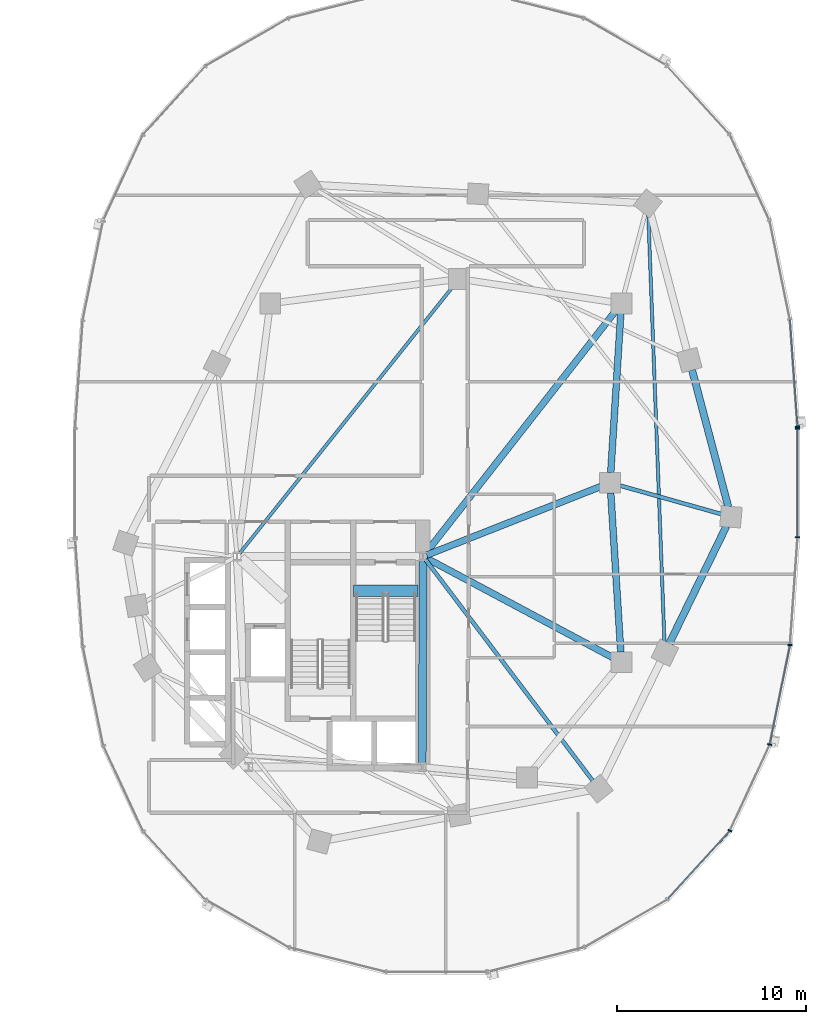
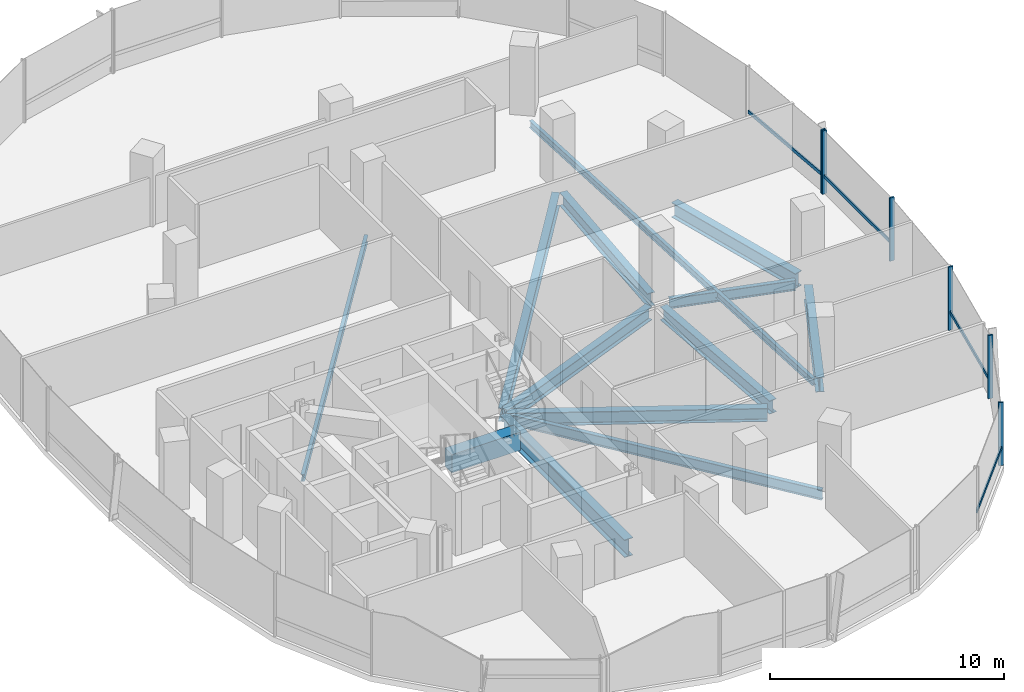
# One storey, part 6 of 21: 13 beams, 10 members, 2 elements without a shape of their own.
"""IFC4 building model written with IfcOpenShell, lengths in metres."""

from ifc_helpers import new_model, si_unit, direction, frame, origin, origin_2d, place, context, subcontext, project, spatial, rectangle, i_section, extrude, material, material_profile, profile_set, type_object, element, aggregate, save


model = new_model("IFC4")

# Units and contexts
model_context = context("Model", 3, precision=1e-05, world=origin(), true_north=direction((0.0, 1.0)))
body_context = subcontext(model_context, "Body", "Model", "MODEL_VIEW")
ifc_project = project(units=[si_unit("LENGTHUNIT", "METRE"), si_unit("AREAUNIT", "SQUARE_METRE"), si_unit("VOLUMEUNIT", "CUBIC_METRE"), si_unit("PLANEANGLEUNIT", "RADIAN"), si_unit("MASSUNIT", "GRAM", prefix="KILO"), si_unit("THERMODYNAMICTEMPERATUREUNIT", "KELVIN"), si_unit("POWERUNIT", "WATT")], contexts=[model_context])

# Site, building, storey
site_placement = place(None, origin())
site = spatial("IfcSite", under=ifc_project, at=site_placement, CompositionType="ELEMENT")
building_placement = place(site_placement, origin())
building = spatial("IfcBuilding", under=site, at=building_placement, Name="Cundina Bronze Exchange", CompositionType="ELEMENT")
storey_placement = place(building_placement, frame((0.0, 0.0, 117.800048828125)))
storey = spatial("IfcBuildingStorey", under=building, at=storey_placement, Name="L30", CompositionType="ELEMENT", Elevation=117.800048828125)

# Beams
ifc_material_1 = material(Name="Concrete C60/75", Category="concrete")
ifc_material_profile_1 = material_profile(ifc_material_1, rectangle(XDim=0.60009765625, YDim=0.949951171875, at=origin_2d()), Name="RC600X950", Category="concrete")
ifc_profile_set_1 = profile_set([ifc_material_profile_1], Name="Concrete C60/75")
beam_type_1 = type_object("IfcBeamType", Name="BM-COUP-RC950", PredefinedType="LINTEL", material=ifc_profile_set_1)
beam_1_placement = place(storey_placement, frame((27.6201171875, -5.719970703125, -0.47509765625), z_axis=(1.0, 0.0, 0.0), x_axis=(0.0, 1.0, 0.0)))
element("IfcBeam", 1, at=beam_1_placement, inside=storey, type_object=beam_type_1, Name="L30 Stair E1 Landing Header Beam", PredefinedType="LINTEL", context=body_context, shape_type="SweptSolid", body=[
    extrude(rectangle(XDim=0.60009765625, YDim=0.949951171875, at=origin_2d()), origin(), (0.0, 0.0, 1.0), 3.39990234375),
])
ifc_material_2 = material(Name="Steel ASTM A992 Grade 50", Category="steel")
ifc_material_profile_2 = material_profile(ifc_material_2, i_section(OverallWidth=0.2099609375, OverallDepth=0.532958984375, WebThickness=0.01025390625, FlangeThickness=0.015625, FilletRadius=0.013916015625, at=origin_2d()), Name="W21X62", Category="steel")
ifc_profile_set_2 = profile_set([ifc_material_profile_2], Name="Steel ASTM A992 Grade 50")
beam_type_2 = type_object("IfcBeamType", Name="BM-FLR-W21B", PredefinedType="BEAM", material=ifc_profile_set_2)
beam_2_placement = place(storey_placement, frame((31.423095703125, -4.062744140625, -0.566650390625), z_axis=(0.603095885041, -0.797668699052, 0.0), x_axis=(0.797668699052, 0.603095885041, 0.0)))
element("IfcBeam", 2, at=beam_2_placement, inside=storey, type_object=beam_type_2, Name="L30 Leg E Chordal Floor Beam 06", PredefinedType="BEAM", context=body_context, shape_type="SweptSolid", body=[
    extrude(i_section(OverallWidth=0.2099609375, OverallDepth=0.532958984375, WebThickness=0.01025390625, FlangeThickness=0.015625, FilletRadius=0.013916015625, at=origin_2d()), origin(), (0.0, 0.0, 1.0), 14.677978515625),
])
beam_3_placement = place(storey_placement, frame((41.718017578125, -0.145751953125, -0.566650390625), z_axis=(0.962654865541, -0.270731619598, 0.0), x_axis=(0.270731619598, 0.962654865541, 0.0)))
element("IfcBeam", 3, at=beam_3_placement, inside=storey, type_object=beam_type_2, Name="L30 Leg E Chordal Floor Beam 08", PredefinedType="BEAM", context=body_context, shape_type="SweptSolid", body=[
    extrude(i_section(OverallWidth=0.2099609375, OverallDepth=0.532958984375, WebThickness=0.01025390625, FlangeThickness=0.015625, FilletRadius=0.013916015625, at=origin_2d()), origin(), (0.0, 0.0, 1.0), 5.572021484375),
])
ifc_material_profile_3 = material_profile(ifc_material_2, i_section(OverallWidth=0.172119140625, OverallDepth=0.35791015625, WebThickness=0.0078125, FlangeThickness=0.01318359375, FilletRadius=0.010009765625, at=origin_2d()), Name="W14X38", Category="steel")
ifc_profile_set_3 = profile_set([ifc_material_profile_3], Name="Steel ASTM A992 Grade 50")
beam_type_3 = type_object("IfcBeamType", Name="BM-JST-W14", PredefinedType="JOIST", material=ifc_profile_set_3)
beam_4_placement = place(storey_placement, frame((21.577392578125, -3.740478515625, -0.47900390625), z_axis=(0.62436887964, 0.781129632095, 0.0), x_axis=(-0.781129632095, 0.62436887964, 0.0)))
element("IfcBeam", 4, at=beam_4_placement, inside=storey, type_object=beam_type_3, Name="L30 E Interior Core-to-Ring Joist 2", PredefinedType="JOIST", context=body_context, shape_type="SweptSolid", body=[
    extrude(i_section(OverallWidth=0.172119140625, OverallDepth=0.35791015625, WebThickness=0.0078125, FlangeThickness=0.01318359375, FilletRadius=0.010009765625, at=origin_2d()), origin(), (0.0, 0.0, 1.0), 18.076904296875),
])
beam_5_placement = place(storey_placement, frame((44.07958984375, -8.46240234375, -0.47900390625), z_axis=(-0.03778951385, 0.999285721224, 0.0), x_axis=(-0.999285721224, -0.03778951385, 0.0)))
element("IfcBeam", 5, at=beam_5_placement, inside=storey, type_object=beam_type_3, Name="L30 Leg E Lobe Floor Joist 07-10", PredefinedType="JOIST", context=body_context, shape_type="SweptSolid", body=[
    extrude(i_section(OverallWidth=0.172119140625, OverallDepth=0.35791015625, WebThickness=0.0078125, FlangeThickness=0.01318359375, FilletRadius=0.010009765625, at=origin_2d()), origin(), (0.0, 0.0, 1.0), 22.7412109375),
])
ifc_material_profile_4 = material_profile(ifc_material_2, i_section(OverallWidth=0.35498046875, OverallDepth=0.695068359375, WebThickness=0.015380859375, FlangeThickness=0.02490234375, FilletRadius=0.01806640625, at=origin_2d()), Name="W27X146", Category="steel")
ifc_profile_set_4 = profile_set([ifc_material_profile_4], Name="Steel ASTM A992 Grade 50")
beam_type_4 = type_object("IfcBeamType", Name="BM-RING-W27", PredefinedType="USERDEFINED", material=ifc_profile_set_4)
for number, where, z_axis, x_axis, name in (
    (6, (41.76611328125, -8.963134765625, -0.6474609375), (-0.06303715519, 0.998011180832, 0.0), (-0.998011180832, -0.06303715519, 0.0), "L30 E Inner Structural Ring Girder 03"),
    (7, (41.23388671875, 0.536865234375, -0.6474609375), (0.06303715519, 0.998011180832, 0.0), (-0.998011180832, 0.06303715519, 0.0), "L30 E Inner Structural Ring Girder 04"),
):
    element("IfcBeam", number, at=place(storey_placement, frame(where, z_axis=z_axis, x_axis=x_axis)), inside=storey, type_object=beam_type_4, Name=name, ObjectType="GIRDER", PredefinedType="USERDEFINED", context=body_context, shape_type="SweptSolid", body=[
        extrude(i_section(OverallWidth=0.35498046875, OverallDepth=0.695068359375, WebThickness=0.015380859375, FlangeThickness=0.02490234375, FilletRadius=0.01806640625, at=origin_2d()), origin(), (0.0, 0.0, 1.0), 8.443115234375),
    ])
beam_6_placement = place(storey_placement, frame((31.48974609375, -3.8251953125, -0.6474609375), z_axis=(0.930413235418, 0.366512225388, 0.0), x_axis=(-0.366512225388, 0.930413235418, 0.0)))
element("IfcBeam", 8, at=beam_6_placement, inside=storey, type_object=beam_type_4, Name="L30 E Core-to-Waist Tie Beam 1", ObjectType="GIRDER", PredefinedType="USERDEFINED", context=body_context, shape_type="SweptSolid", body=[
    extrude(i_section(OverallWidth=0.35498046875, OverallDepth=0.695068359375, WebThickness=0.015380859375, FlangeThickness=0.02490234375, FilletRadius=0.01806640625, at=origin_2d()), origin(), (0.0, 0.0, 1.0), 9.8984375),
])
beam_7_placement = place(storey_placement, frame((31.47998046875, -3.99609375, -0.6474609375), z_axis=(0.882354758239, -0.470584828286, 0.0), x_axis=(0.470584828286, 0.882354758239, 0.0)))
element("IfcBeam", 9, at=beam_7_placement, inside=storey, type_object=beam_type_4, Name="L30 E Core-to-Waist Tie Beam 2", ObjectType="GIRDER", PredefinedType="USERDEFINED", context=body_context, shape_type="SweptSolid", body=[
    extrude(i_section(OverallWidth=0.35498046875, OverallDepth=0.695068359375, WebThickness=0.015380859375, FlangeThickness=0.02490234375, FilletRadius=0.01806640625, at=origin_2d()), origin(), (0.0, 0.0, 1.0), 11.157958984375),
])
beam_8_placement = place(storey_placement, frame((31.42578125, -3.739501953125, -0.6474609375), z_axis=(0.616789275748, 0.787128318206, 0.0), x_axis=(-0.787128318206, 0.616789275748, 0.0)))
element("IfcBeam", 10, at=beam_8_placement, inside=storey, type_object=beam_type_4, Name="L30 E Core-to-Waist Tie Beam 3", ObjectType="GIRDER", PredefinedType="USERDEFINED", context=body_context, shape_type="SweptSolid", body=[
    extrude(i_section(OverallWidth=0.35498046875, OverallDepth=0.695068359375, WebThickness=0.015380859375, FlangeThickness=0.02490234375, FilletRadius=0.01806640625, at=origin_2d()), origin(), (0.0, 0.0, 1.0), 16.281982421875),
])
ifc_material_profile_5 = material_profile(ifc_material_2, i_section(OverallWidth=0.381103515625, OverallDepth=0.77294921875, WebThickness=0.0166015625, FlangeThickness=0.027099609375, FilletRadius=0.01904296875, at=origin_2d()), Name="W30X173", Category="steel")
ifc_profile_set_5 = profile_set([ifc_material_profile_5], Name="Steel ASTM A992 Grade 50")
beam_type_5 = type_object("IfcBeamType", Name="BM-RING-W30", PredefinedType="USERDEFINED", material=ifc_profile_set_5)
beam_9_placement = place(storey_placement, frame((44.335205078125, -8.51611328125, -0.6865234375), z_axis=(0.437193894283, 0.899367276924, 0.0), x_axis=(-0.899367276924, 0.437193894283, 0.0)))
element("IfcBeam", 11, at=beam_9_placement, inside=storey, type_object=beam_type_5, Name="L30 E Perimeter Ring Girder 07", ObjectType="GIRDER", PredefinedType="USERDEFINED", context=body_context, shape_type="SweptSolid", body=[
    extrude(i_section(OverallWidth=0.381103515625, OverallDepth=0.77294921875, WebThickness=0.0166015625, FlangeThickness=0.027099609375, FilletRadius=0.01904296875, at=origin_2d()), origin(), (0.0, 0.0, 1.0), 6.929443359375),
])
beam_10_placement = place(storey_placement, frame((47.462158203125, -1.280029296875, -0.6865234375), z_axis=(-0.256209719931, 0.966621218168, 0.0), x_axis=(-0.966621218168, -0.256209719931, 0.0)))
element("IfcBeam", 12, at=beam_10_placement, inside=storey, type_object=beam_type_5, Name="L30 E Perimeter Ring Girder 08", ObjectType="GIRDER", PredefinedType="USERDEFINED", context=body_context, shape_type="SweptSolid", body=[
    extrude(i_section(OverallWidth=0.381103515625, OverallDepth=0.77294921875, WebThickness=0.0166015625, FlangeThickness=0.027099609375, FilletRadius=0.01904296875, at=origin_2d()), origin(), (0.0, 0.0, 1.0), 7.5107421875),
])
ifc_material_profile_6 = material_profile(ifc_material_2, i_section(OverallWidth=0.41796875, OverallDepth=0.927001953125, WebThickness=0.019287109375, FlangeThickness=0.031982421875, FilletRadius=0.02392578125, at=origin_2d()), Name="W36X231", Category="steel")
ifc_profile_set_6 = profile_set([ifc_material_profile_6], Name="Steel ASTM A992 Grade 50")
beam_type_6 = type_object("IfcBeamType", Name="BM-WRN-W36B", PredefinedType="USERDEFINED", material=ifc_profile_set_6)
beam_11_placement = place(storey_placement, frame((31.2509765625, -14.845947265625, -0.763427734375), z_axis=(0.004477329608, 0.99998997671, 0.0), x_axis=(-0.99998997671, 0.004477329608, 0.0)))
element("IfcBeam", 13, at=beam_11_placement, inside=storey, type_object=beam_type_6, Name="L30 E Core Perimeter Tie Girder 4", ObjectType="GIRDER", PredefinedType="USERDEFINED", context=body_context, shape_type="SweptSolid", body=[
    extrude(i_section(OverallWidth=0.41796875, OverallDepth=0.927001953125, WebThickness=0.019287109375, FlangeThickness=0.031982421875, FilletRadius=0.02392578125, at=origin_2d()), origin(), (0.0, 0.0, 1.0), 10.741943359375),
])

# Curtain wall, member
ifc_material_3 = material(Name="Anodised Bronze Aluminium 6063-T6", Category="aluminium")
curtain_wall_type = type_object("IfcCurtainWallType", Name="CWS-TRD-MID", PredefinedType="NOTDEFINED", material=ifc_material_3)
curtain_wall_1_placement = place(storey_placement, origin())
curtain_wall_1 = element("IfcCurtainWall", 14, at=curtain_wall_1_placement, inside=storey, type_object=curtain_wall_type, Name="L30 CW-03 Curtain Wall Run CWR-L30-E1", PredefinedType="NOTDEFINED")
ifc_material_profile_7 = material_profile(ifc_material_3, rectangle(XDim=0.074951171875, YDim=0.219970703125, at=origin_2d()), Name="AL75X220", Category="aluminium")
ifc_profile_set_7 = profile_set([ifc_material_profile_7], Name="Anodised Bronze Aluminium 6063-T6")
member_type_1 = type_object("IfcMemberType", Name="CWM-MUL-220", PredefinedType="MULLION", material=ifc_profile_set_7)
member_1_placement = place(storey_placement, frame((51.12451171875, 2.976318359375, 0.0), z_axis=(0.0, 0.0, 1.0), x_axis=(-0.070278787473, 0.997527389113, 0.0)))
member_1 = element("IfcMember", 15, at=member_1_placement, type_object=member_type_1, Name="CW-03 Mullion 1", PredefinedType="MULLION", context=body_context, shape_type="SweptSolid", body=[
    extrude(rectangle(XDim=0.074951171875, YDim=0.219970703125, at=origin_2d()), origin(), (0.0, 0.0, 1.0), 3.300048828125),
])

# Curtain wall, members
curtain_wall_2_placement = place(storey_placement, origin())
curtain_wall_2 = element("IfcCurtainWall", 16, at=curtain_wall_2_placement, inside=storey, type_object=curtain_wall_type, Name="L30 CW-03 Curtain Wall Run CWR-L30-E4", PredefinedType="NOTDEFINED")
member_2_placement = place(storey_placement, frame((47.544189453125, -18.423583984375, 0.0), z_axis=(0.0, 0.0, 1.0), x_axis=(0.42087749791, 0.907117485088, 0.0)))
member_2 = element("IfcMember", 17, at=member_2_placement, type_object=member_type_1, Name="CW-03 Mullion 4", PredefinedType="MULLION", context=body_context, shape_type="SweptSolid", body=[
    extrude(rectangle(XDim=0.074951171875, YDim=0.219970703125, at=origin_2d()), origin(), (0.0, 0.0, 1.0), 3.300048828125),
])
member_3_placement = place(storey_placement, frame((49.651123046875, -13.861328125, 0.0), z_axis=(0.0, 0.0, 1.0), x_axis=(0.201419845156, 0.979505000486, 0.0)))
member_3 = element("IfcMember", 18, at=member_3_placement, type_object=member_type_1, Name="CW-03 Mullion 5", PredefinedType="MULLION", context=body_context, shape_type="SweptSolid", body=[
    extrude(rectangle(XDim=0.074951171875, YDim=0.219970703125, at=origin_2d()), origin(), (0.0, 0.0, 1.0), 3.300048828125),
])
member_4_placement = place(storey_placement, frame((50.72900390625, -8.591552734375, 0.0), z_axis=(0.0, 0.0, 1.0), x_axis=(0.070278787473, 0.997527389113, 0.0)))
member_4 = element("IfcMember", 19, at=member_4_placement, type_object=member_type_1, Name="CW-03 Mullion 6", PredefinedType="MULLION", context=body_context, shape_type="SweptSolid", body=[
    extrude(rectangle(XDim=0.074951171875, YDim=0.219970703125, at=origin_2d()), origin(), (0.0, 0.0, 1.0), 3.300048828125),
])
member_5_placement = place(storey_placement, frame((51.1279296875, -2.880615234375, 0.0), z_axis=(0.0, 0.0, 1.0), x_axis=(0.0, 1.0, 0.0)))
member_5 = element("IfcMember", 20, at=member_5_placement, type_object=member_type_1, Name="CW-03 Mullion 7", PredefinedType="MULLION", context=body_context, shape_type="SweptSolid", body=[
    extrude(rectangle(XDim=0.074951171875, YDim=0.219970703125, at=origin_2d()), origin(), (0.0, 0.0, 1.0), 3.300048828125),
])
member_6_placement = place(storey_placement, frame((51.1279296875, 2.880615234375, 0.0), z_axis=(0.0, 0.0, 1.0), x_axis=(0.0, 1.0, 0.0)))
member_6 = element("IfcMember", 21, at=member_6_placement, type_object=member_type_1, Name="CW-03 End Mullion", PredefinedType="MULLION", context=body_context, shape_type="SweptSolid", body=[
    extrude(rectangle(XDim=0.074951171875, YDim=0.219970703125, at=origin_2d()), origin(), (0.0, 0.0, 1.0), 3.300048828125),
])

# Member
ifc_material_profile_8 = material_profile(ifc_material_3, rectangle(XDim=0.070068359375, YDim=0.179931640625, at=origin_2d()), Name="AL70X180", Category="aluminium")
ifc_profile_set_8 = profile_set([ifc_material_profile_8], Name="Anodised Bronze Aluminium 6063-T6")
member_type_2 = type_object("IfcMemberType", Name="CWM-TRN-180", PredefinedType="USERDEFINED", material=ifc_profile_set_8)
member_7_placement = place(storey_placement, frame((51.12158203125, 3.017333984375, 0.919921875), z_axis=(-0.070260714471, 0.997528662246, 0.0), x_axis=(-0.997528662246, -0.070260714471, 0.0)))
member_7 = element("IfcMember", 22, at=member_7_placement, type_object=member_type_2, Name="CW-03 Spandrel Transom 1", ObjectType="TRANSOM", PredefinedType="USERDEFINED", context=body_context, shape_type="SweptSolid", body=[
    extrude(rectangle(XDim=0.070068359375, YDim=0.179931640625, at=origin_2d()), origin(), (0.0, 0.0, 1.0), 5.629150390625),
])

aggregate(curtain_wall_1, [member_1, member_7])

member_8_placement = place(storey_placement, frame((44.26708984375, -22.027099609375, 0.919921875), z_axis=(0.674302794847, 0.738454968743, 0.0), x_axis=(-0.738454968743, 0.674302794847, 0.0)))
member_8 = element("IfcMember", 23, at=member_8_placement, type_object=member_type_2, Name="CW-03 Spandrel Transom 3", ObjectType="TRANSOM", PredefinedType="USERDEFINED", context=body_context, shape_type="SweptSolid", body=[
    extrude(rectangle(XDim=0.070068359375, YDim=0.179931640625, at=origin_2d()), origin(), (0.0, 0.0, 1.0), 4.848388671875),
])

member_9_placement = place(storey_placement, frame((49.659423828125, -13.821044921875, 0.919921875), z_axis=(0.201427712708, 0.979503382615, 0.0), x_axis=(-0.979503382615, 0.201427712708, 0.0)))
member_9 = element("IfcMember", 24, at=member_9_placement, type_object=member_type_2, Name="CW-03 Spandrel Transom 5", ObjectType="TRANSOM", PredefinedType="USERDEFINED", context=body_context, shape_type="SweptSolid", body=[
    extrude(rectangle(XDim=0.070068359375, YDim=0.179931640625, at=origin_2d()), origin(), (0.0, 0.0, 1.0), 5.291748046875),
])

member_10_placement = place(storey_placement, frame((51.1279296875, -2.839111328125, 0.919921875), z_axis=(0.0, 1.0, 0.0), x_axis=(-1.0, 0.0, 0.0)))
member_10 = element("IfcMember", 25, at=member_10_placement, type_object=member_type_2, Name="CW-03 Spandrel Transom 7", ObjectType="TRANSOM", PredefinedType="USERDEFINED", context=body_context, shape_type="SweptSolid", body=[
    extrude(rectangle(XDim=0.070068359375, YDim=0.179931640625, at=origin_2d()), origin(), (0.0, 0.0, 1.0), 5.67822265625),
])

aggregate(curtain_wall_2, [member_8, member_2, member_3, member_9, member_4, member_5, member_6, member_10])

save(model, "model.ifc")
